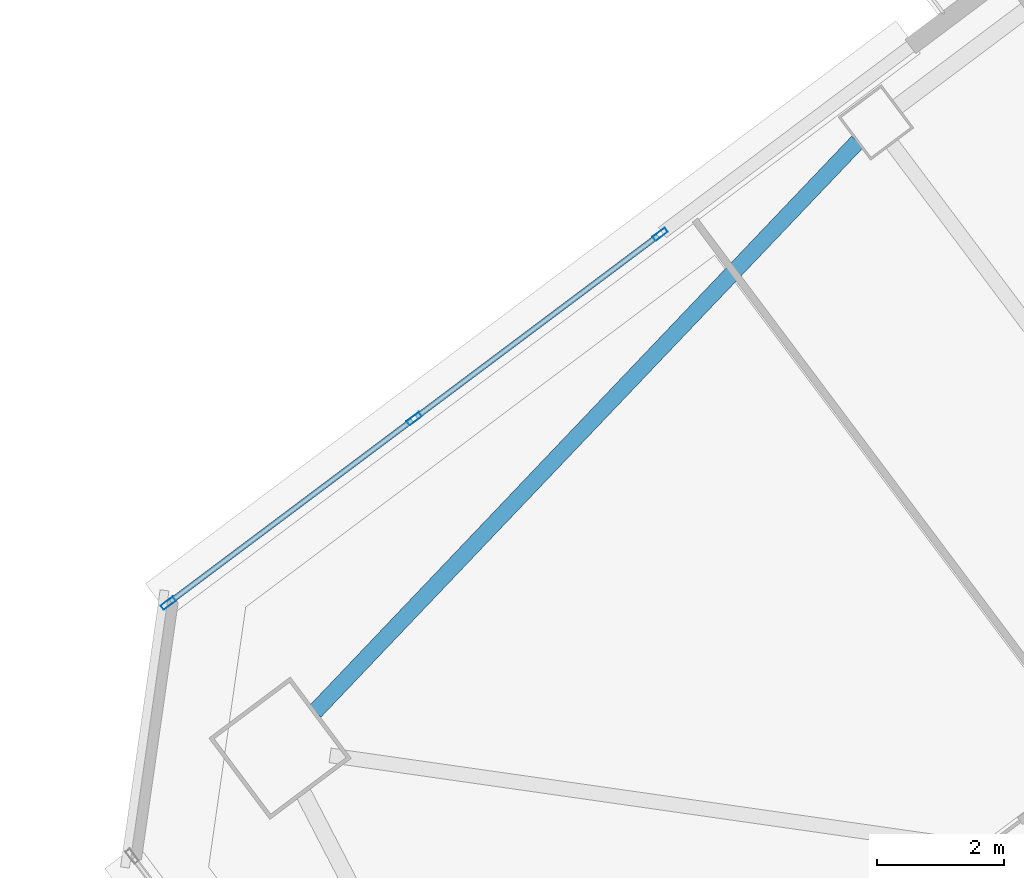
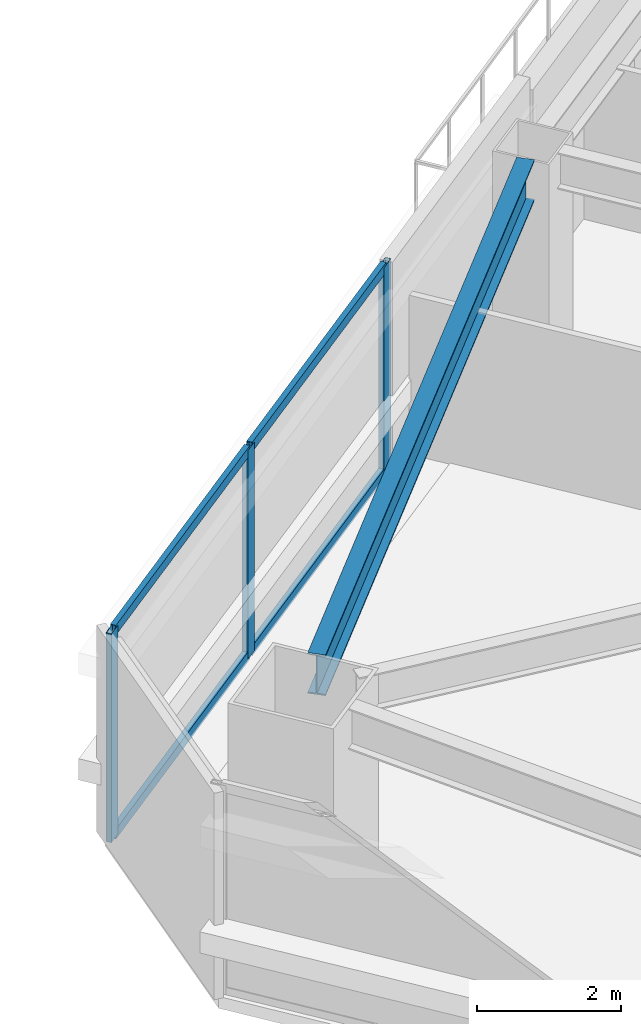
# One storey, part 26 of 46: 7 members, 1 beam, 1 element without a shape of its own.
"""IFC4 building model written with IfcOpenShell, lengths in metres."""

from ifc_helpers import new_model, si_unit, direction, frame, origin, origin_2d, place, context, subcontext, project, spatial, hollow_rectangle, i_section, extrude, material, material_profile, profile_set, type_object, element, aggregate, save


model = new_model("IFC4")

# Units and contexts
model_context = context("Model", 3, precision=1e-05, world=origin(), true_north=direction((0.0, 1.0)))
body_context = subcontext(model_context, "Body", "Model", "MODEL_VIEW")
ifc_project = project(units=[si_unit("LENGTHUNIT", "METRE"), si_unit("AREAUNIT", "SQUARE_METRE"), si_unit("VOLUMEUNIT", "CUBIC_METRE"), si_unit("PLANEANGLEUNIT", "RADIAN"), si_unit("MASSUNIT", "GRAM", prefix="KILO")], contexts=[model_context])

# Site, building, storey
site_placement = place(None, origin())
site = spatial("IfcSite", under=ifc_project, at=site_placement, CompositionType="ELEMENT")
building_placement = place(site_placement, origin())
building = spatial("IfcBuilding", under=site, at=building_placement, Name="Tashvorn Skyway Center", CompositionType="ELEMENT")
storey_placement = place(building_placement, frame((0.0, 0.0, 38.800048828125)))
storey = spatial("IfcBuildingStorey", under=building, at=storey_placement, Name="L09", CompositionType="ELEMENT", Elevation=38.800048828125)

# Beam
ifc_material_1 = material(Name="Steel ASTM A992 Grade 50", Category="steel")
ifc_material_profile_1 = material_profile(ifc_material_1, i_section(OverallWidth=0.256103515625, OverallDepth=0.693115234375, WebThickness=0.014404296875, FlangeThickness=0.023681640625, at=origin_2d()), Name="W27X114")
ifc_profile_set_1 = profile_set([ifc_material_profile_1], Name="Steel ASTM A992 Grade 50")
beam_type = type_object("IfcBeamType", Name="BM-SPANDREL-W27X114", PredefinedType="SPANDREL", material=ifc_profile_set_1)
beam_placement = place(storey_placement, frame((96.76025390625, 45.2958984375, 3.00341796875), z_axis=(-0.689589637236, -0.724200339835, 0.0), x_axis=(0.724200339835, -0.689589637236, 0.0)))
element("IfcBeam", 1, at=beam_placement, inside=storey, type_object=beam_type, Name="Tower 2 L09 Spandrel Beam 09", PredefinedType="SPANDREL", context=body_context, shape_type="SweptSolid", body=[
    extrude(i_section(OverallWidth=0.256103515625, OverallDepth=0.693115234375, WebThickness=0.014404296875, FlangeThickness=0.023681640625, at=origin_2d()), origin(), (0.0, 0.0, 1.0), 12.37255859375),
])

# Curtain wall, members
ifc_material_2 = material(Name="Thermally broken bronze-anodized aluminium 6063-T6", Category="aluminium")
curtain_wall_type = type_object("IfcCurtainWallType", Name="CW-CW-Z1", PredefinedType="NOTDEFINED", material=ifc_material_2)
curtain_wall_placement = place(storey_placement, origin())
curtain_wall = element("IfcCurtainWall", 2, at=curtain_wall_placement, inside=storey, type_object=curtain_wall_type, Name="Tower 2 L09 North Curtain Wall L Glazing Group 1", PredefinedType="NOTDEFINED")
ifc_material_profile_2 = material_profile(ifc_material_2, hollow_rectangle(XDim=0.0849609375, YDim=0.239990234375, WallThickness=0.0048828125, at=origin_2d()), Name="ALU-MULL-85x240")
ifc_profile_set_2 = profile_set([ifc_material_profile_2], Name="Thermally broken bronze-anodized aluminium 6063-T6")
member_type_1 = type_object("IfcMemberType", Name="CWM-CW-Z1", PredefinedType="MULLION", material=ifc_profile_set_2)
member_1_placement = place(storey_placement, frame((85.922119140625, 38.04150390625, 0.0), z_axis=(0.0, 0.0, 1.0), x_axis=(-0.599998359545, 0.800001230339, 0.0)))
member_1 = element("IfcMember", 3, at=member_1_placement, type_object=member_type_1, Name="CW-Z1 mullion 1", PredefinedType="MULLION", context=body_context, shape_type="SweptSolid", body=[
    extrude(hollow_rectangle(XDim=0.0849609375, YDim=0.239990234375, WallThickness=0.0048828125, at=origin_2d()), origin(), (0.0, 0.0, 1.0), 3.550048828125),
])
member_2_placement = place(storey_placement, frame((89.789306640625, 40.94189453125, 0.0), z_axis=(0.0, 0.0, 1.0), x_axis=(-0.599998359545, 0.800001230339, 0.0)))
member_2 = element("IfcMember", 4, at=member_2_placement, type_object=member_type_1, Name="CW-Z1 mullion 2", PredefinedType="MULLION", context=body_context, shape_type="SweptSolid", body=[
    extrude(hollow_rectangle(XDim=0.0849609375, YDim=0.239990234375, WallThickness=0.0048828125, at=origin_2d()), origin(), (0.0, 0.0, 1.0), 3.550048828125),
])
member_3_placement = place(storey_placement, frame((93.65673828125, 43.842529296875, 0.0), z_axis=(0.0, 0.0, 1.0), x_axis=(-0.599998359545, 0.800001230339, 0.0)))
member_3 = element("IfcMember", 5, at=member_3_placement, type_object=member_type_1, Name="CW-Z1 mullion 3", PredefinedType="MULLION", context=body_context, shape_type="SweptSolid", body=[
    extrude(hollow_rectangle(XDim=0.0849609375, YDim=0.239990234375, WallThickness=0.0048828125, at=origin_2d()), origin(), (0.0, 0.0, 1.0), 3.550048828125),
])
ifc_material_profile_3 = material_profile(ifc_material_2, hollow_rectangle(XDim=0.0849609375, YDim=0.1650390625, WallThickness=0.0048828125, at=origin_2d()), Name="ALU-TRAN-85x165")
ifc_profile_set_3 = profile_set([ifc_material_profile_3], Name="Thermally broken bronze-anodized aluminium 6063-T6")
member_type_2 = type_object("IfcMemberType", Name="CWT-CW-Z1", PredefinedType="USERDEFINED", material=ifc_profile_set_3)
member_4_placement = place(storey_placement, frame((85.9560546875, 38.06689453125, 0.04248046875), z_axis=(0.799987662275, 0.600016449947, 0.0), x_axis=(-0.600016449947, 0.799987662275, 0.0)))
member_4 = element("IfcMember", 6, at=member_4_placement, type_object=member_type_2, Name="CW-Z1 transom 1.1", ObjectType="TRANSOM", PredefinedType="USERDEFINED", context=body_context, shape_type="SweptSolid", body=[
    extrude(hollow_rectangle(XDim=0.0849609375, YDim=0.1650390625, WallThickness=0.0048828125, at=origin_2d()), origin(), (0.0, 0.0, 1.0), 4.749267578125),
])
member_5_placement = place(storey_placement, frame((85.9560546875, 38.06689453125, 3.507568359375), z_axis=(0.799987662275, 0.600016449947, 0.0), x_axis=(-0.600016449947, 0.799987662275, 0.0)))
member_5 = element("IfcMember", 7, at=member_5_placement, type_object=member_type_2, Name="CW-Z1 transom 1.2", ObjectType="TRANSOM", PredefinedType="USERDEFINED", context=body_context, shape_type="SweptSolid", body=[
    extrude(hollow_rectangle(XDim=0.0849609375, YDim=0.1650390625, WallThickness=0.0048828125, at=origin_2d()), origin(), (0.0, 0.0, 1.0), 4.749267578125),
])
member_6_placement = place(storey_placement, frame((89.8232421875, 40.967529296875, 0.04248046875), z_axis=(0.800030842515, 0.599958874445, 0.0), x_axis=(-0.599958874445, 0.800030842515, 0.0)))
member_6 = element("IfcMember", 8, at=member_6_placement, type_object=member_type_2, Name="CW-Z1 transom 2.1", ObjectType="TRANSOM", PredefinedType="USERDEFINED", context=body_context, shape_type="SweptSolid", body=[
    extrude(hollow_rectangle(XDim=0.0849609375, YDim=0.1650390625, WallThickness=0.0048828125, at=origin_2d()), origin(), (0.0, 0.0, 1.0), 4.749267578125),
])
member_7_placement = place(storey_placement, frame((89.8232421875, 40.967529296875, 3.507568359375), z_axis=(0.800030842515, 0.599958874445, 0.0), x_axis=(-0.599958874445, 0.800030842515, 0.0)))
member_7 = element("IfcMember", 9, at=member_7_placement, type_object=member_type_2, Name="CW-Z1 transom 2.2", ObjectType="TRANSOM", PredefinedType="USERDEFINED", context=body_context, shape_type="SweptSolid", body=[
    extrude(hollow_rectangle(XDim=0.0849609375, YDim=0.1650390625, WallThickness=0.0048828125, at=origin_2d()), origin(), (0.0, 0.0, 1.0), 4.749267578125),
])
aggregate(curtain_wall, [member_1, member_2, member_3, member_4, member_5, member_6, member_7])

save(model, "model.ifc")
